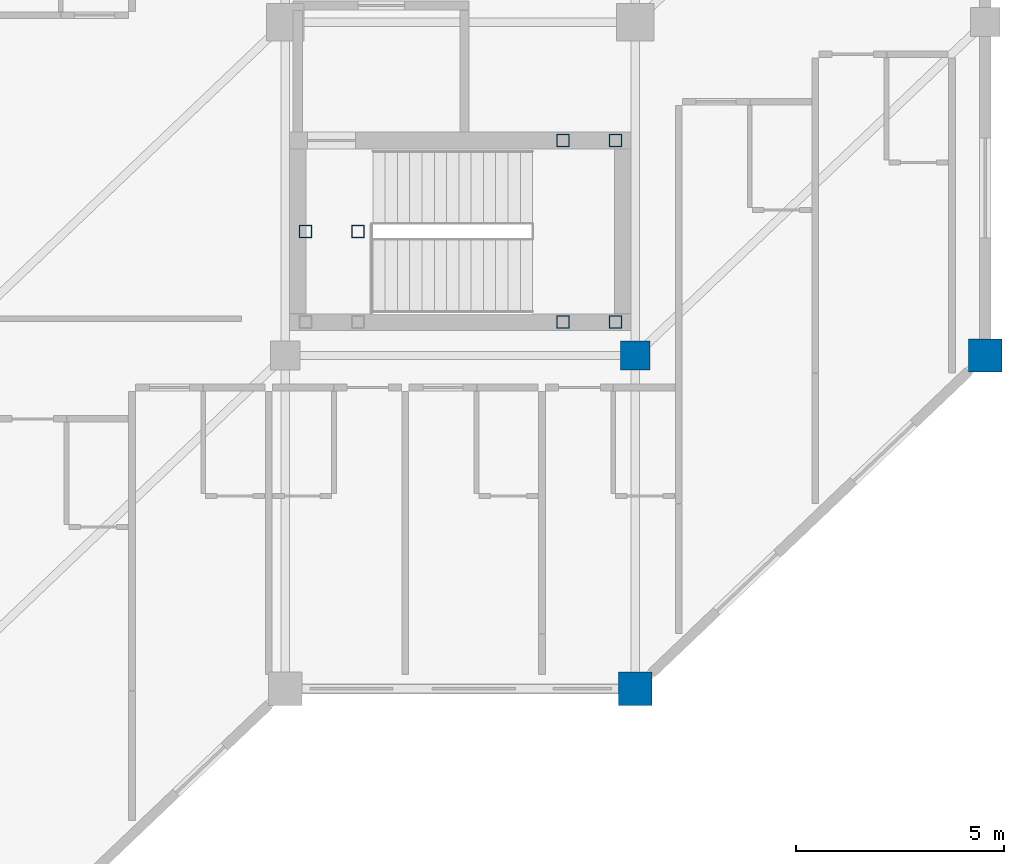
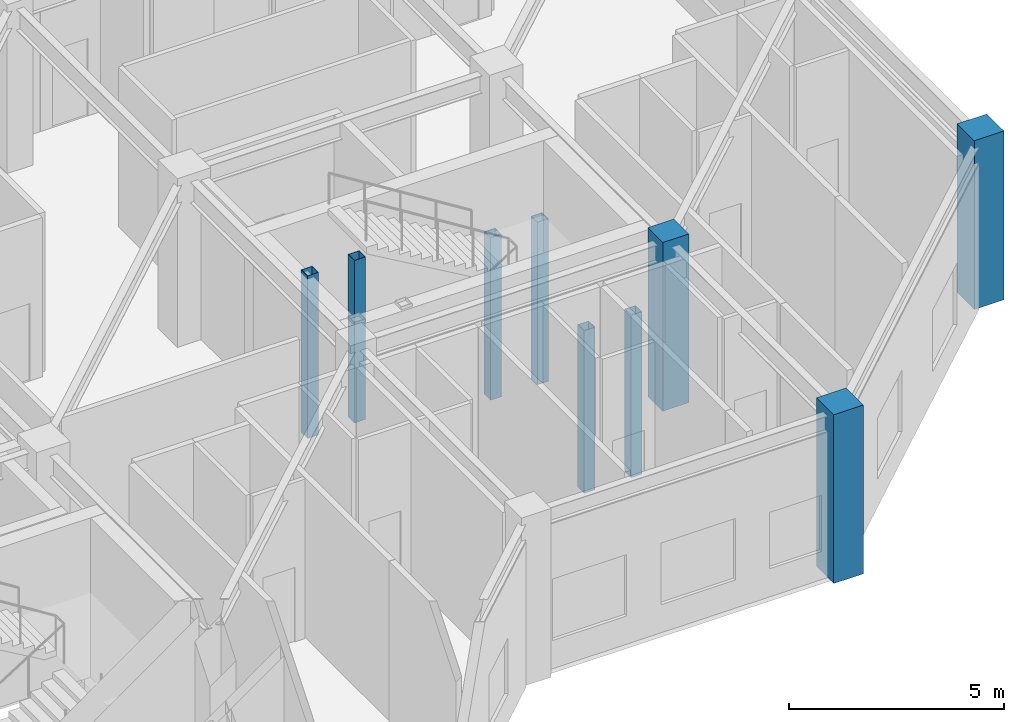
# One storey, part 5 of 37: 9 columns.
"""IFC4 building model written with IfcOpenShell, lengths in metres."""

from ifc_helpers import new_model, si_unit, direction, frame, origin, origin_2d, place, context, subcontext, project, spatial, rectangle, hollow_rectangle, extrude, material, material_profile, profile_set, type_object, element, save


model = new_model("IFC4")

# Units and contexts
model_context = context("Model", 3, precision=1e-05, world=origin(), true_north=direction((0.0, 1.0)))
body_context = subcontext(model_context, "Body", "Model", "MODEL_VIEW")
ifc_project = project(units=[si_unit("LENGTHUNIT", "METRE"), si_unit("AREAUNIT", "SQUARE_METRE"), si_unit("VOLUMEUNIT", "CUBIC_METRE"), si_unit("PLANEANGLEUNIT", "RADIAN"), si_unit("MASSUNIT", "GRAM", prefix="KILO")], contexts=[model_context])

# Site, building, storey
site_placement = place(None, origin())
site = spatial("IfcSite", under=ifc_project, at=site_placement, CompositionType="ELEMENT")
building_placement = place(site_placement, origin())
building = spatial("IfcBuilding", under=site, at=building_placement, Name="Naruveol Harbour Congress Hotel", CompositionType="ELEMENT")
storey_placement = place(building_placement, frame((0.0, 0.0, 16.199951171875)))
storey = spatial("IfcBuildingStorey", under=building, at=storey_placement, Name="L03", CompositionType="ELEMENT", Elevation=16.199951171875)

# Columns
ifc_material_1 = material(Name="Concrete C40/50", Category="concrete")
ifc_material_profile_1 = material_profile(ifc_material_1, rectangle(XDim=0.699951171875, YDim=0.699951171875, at=origin_2d()), Name="RC-700x700")
ifc_profile_set_1 = profile_set([ifc_material_profile_1], Name="Concrete C40/50")
column_type_1 = type_object("IfcColumnType", Name="RC HOTEL COLUMN 700X700", PredefinedType="COLUMN", material=ifc_profile_set_1)
column_placement = place(storey_placement, frame((176.39990234375, 24.0, 0.0), z_axis=(0.0, 0.0, 1.0), x_axis=(1.0, 0.0, 0.0)))
element("IfcColumn", 1, at=column_placement, inside=storey, type_object=column_type_1, Name="Planted hotel column C-700 L03 S7/J1", PredefinedType="COLUMN", context=body_context, shape_type="SweptSolid", body=[
    extrude(rectangle(XDim=0.699951171875, YDim=0.699951171875, at=origin_2d()), origin(), (0.0, 0.0, 1.0), 4.800048828125),
])
ifc_material_2 = material(Name="Concrete C50/60", Category="concrete")
ifc_material_profile_2 = material_profile(ifc_material_2, rectangle(XDim=0.800048828125, YDim=0.800048828125, at=origin_2d()), Name="RC-800x800")
ifc_profile_set_2 = profile_set([ifc_material_profile_2], Name="Concrete C50/60")
column_type_2 = type_object("IfcColumnType", Name="RC PODIUM COLUMN 800X800", PredefinedType="COLUMN", material=ifc_profile_set_2)
for number, where, z_axis, x_axis, name in (
    (2, (176.39990234375, 16.0, 0.0), (0.0, 0.0, 1.0), (1.0, 0.0, 0.0), "Column C-800 L03 (176.4,16.0)"),
    (3, (184.800048828125, 24.0, 0.0), (0.0, 0.0, 1.0), (1.0, 0.0, 0.0), "Column C-800 L03 (184.8,24.0)"),
):
    element("IfcColumn", number, at=place(storey_placement, frame(where, z_axis=z_axis, x_axis=x_axis)), inside=storey, type_object=column_type_2, Name=name, PredefinedType="COLUMN", context=body_context, shape_type="SweptSolid", body=[
        extrude(rectangle(XDim=0.800048828125, YDim=0.800048828125, at=origin_2d()), origin(), (0.0, 0.0, 1.0), 4.800048828125),
    ])
ifc_material_3 = material(Name="Steel SN490", Category="steel")
ifc_material_profile_3 = material_profile(ifc_material_3, hollow_rectangle(XDim=0.300048828125, YDim=0.300048828125, WallThickness=0.011962890625, at=origin_2d()), Name="SHS-300x300x12")
ifc_profile_set_3 = profile_set([ifc_material_profile_3], Name="Steel SN490")
column_type_3 = type_object("IfcColumnType", Name="STEEL COLONNADE POST SHS300", PredefinedType="COLUMN", material=ifc_profile_set_3)
for number, where, z_axis, x_axis, name in (
    (4, (168.47998046875, 26.97998046875, 0.0), (0.0, 0.0, 1.0), (1.0, 0.0, 0.0), "Stair landing support post ST4W #285"),
    (5, (169.739990234375, 26.97998046875, 0.0), (0.0, 0.0, 1.0), (1.0, 0.0, 0.0), "Stair landing support post ST4W #301"),
):
    element("IfcColumn", number, at=place(storey_placement, frame(where, z_axis=z_axis, x_axis=x_axis)), inside=storey, type_object=column_type_3, Name=name, PredefinedType="COLUMN", context=body_context, shape_type="SweptSolid", body=[
        extrude(hollow_rectangle(XDim=0.300048828125, YDim=0.300048828125, WallThickness=0.011962890625, at=origin_2d()), origin(), (0.0, 0.0, 1.0), 4.6201171875),
    ])
for number, where, z_axis, x_axis, name in (
    (6, (174.659912109375, 24.800048828125, -2.39990234375), (0.0, 0.0, 1.0), (1.0, 0.0, 0.0), "Stair landing support post ST4E #309"),
    (7, (174.659912109375, 29.159912109375, -2.39990234375), (0.0, 0.0, 1.0), (1.0, 0.0, 0.0), "Stair landing support post ST4E #317"),
    (8, (175.919921875, 24.800048828125, -2.39990234375), (0.0, 0.0, 1.0), (1.0, 0.0, 0.0), "Stair landing support post ST4E #325"),
    (9, (175.919921875, 29.159912109375, -2.39990234375), (0.0, 0.0, 1.0), (1.0, 0.0, 0.0), "Stair landing support post ST4E #333"),
):
    element("IfcColumn", number, at=place(storey_placement, frame(where, z_axis=z_axis, x_axis=x_axis)), inside=storey, type_object=column_type_3, Name=name, PredefinedType="COLUMN", context=body_context, shape_type="SweptSolid", body=[
        extrude(hollow_rectangle(XDim=0.300048828125, YDim=0.300048828125, WallThickness=0.011962890625, at=origin_2d()), origin(), (0.0, 0.0, 1.0), 4.619873046875),
    ])

save(model, "model.ifc")
